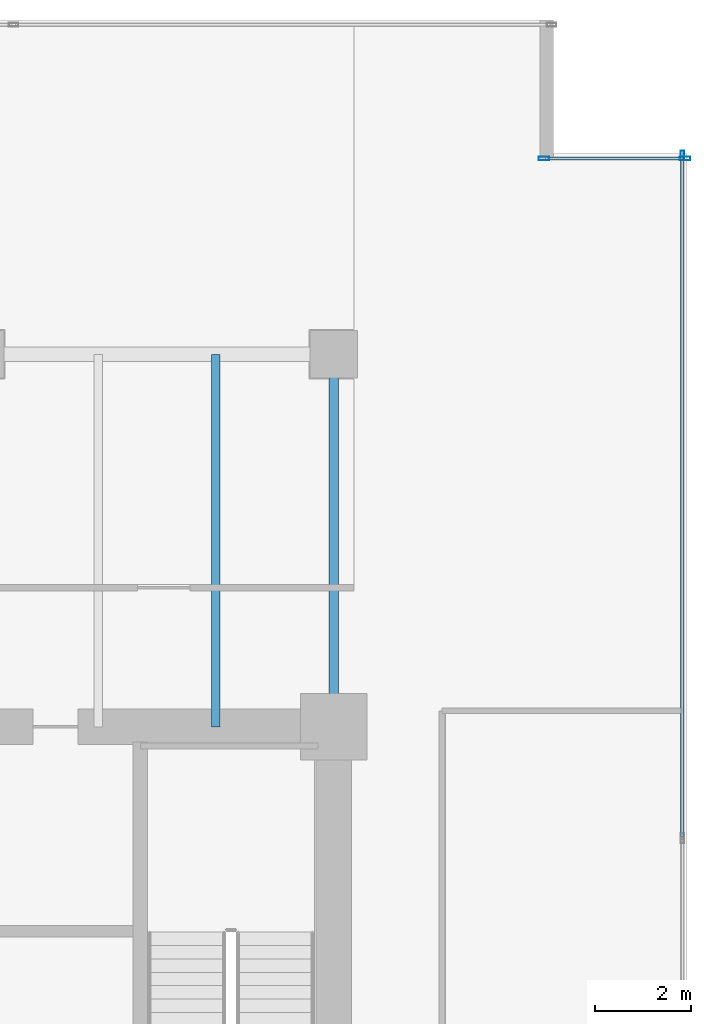
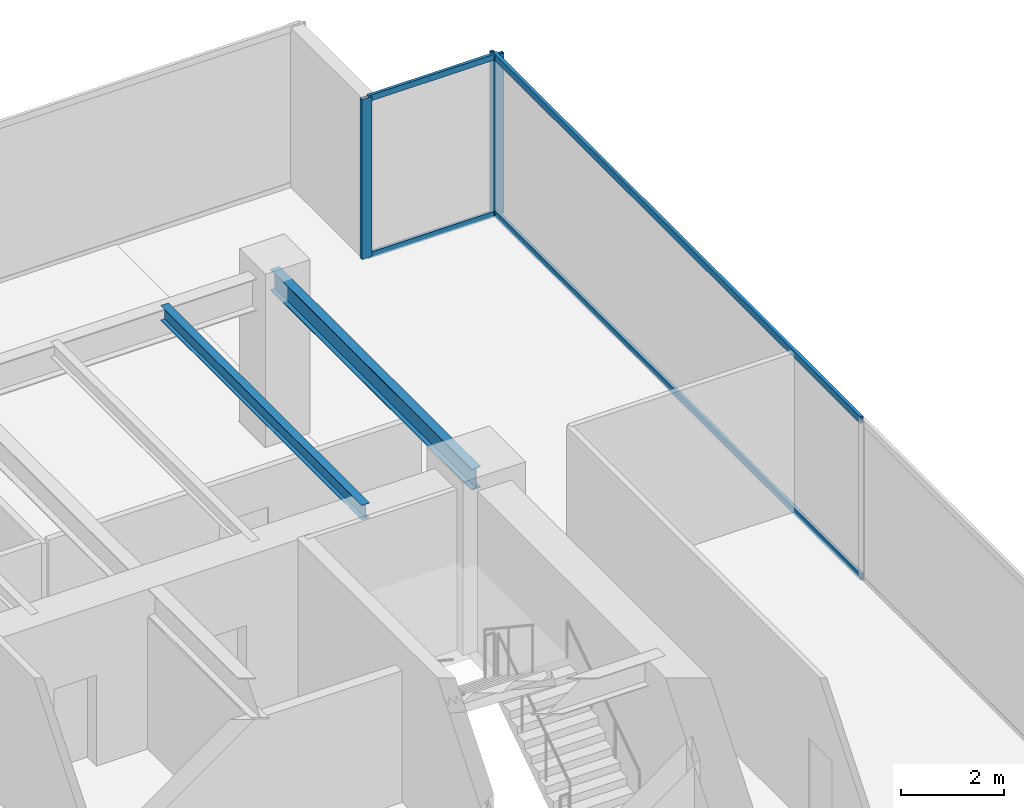
# One storey, part 26 of 37: 7 members, 2 beams, 2 elements without a shape of their own.
"""IFC4 building model written with IfcOpenShell, lengths in metres."""

from ifc_helpers import new_model, si_unit, direction, frame, origin, origin_2d, place, context, subcontext, project, spatial, hollow_rectangle, i_section, extrude, source, transform, mapped, material, layer, layer_set, material_profile, profile_set, type_object, type_shapes, element, aggregate, save


model = new_model("IFC4")

# Units and contexts
model_context = context("Model", 3, precision=1e-05, world=origin(), true_north=direction((0.0, 1.0)))
body_context = subcontext(model_context, "Body", "Model", "MODEL_VIEW")
ifc_project = project(units=[si_unit("LENGTHUNIT", "METRE"), si_unit("AREAUNIT", "SQUARE_METRE"), si_unit("VOLUMEUNIT", "CUBIC_METRE"), si_unit("PLANEANGLEUNIT", "RADIAN"), si_unit("MASSUNIT", "GRAM", prefix="KILO")], contexts=[model_context])

# Site, building, storey
site_placement = place(None, origin())
site = spatial("IfcSite", under=ifc_project, at=site_placement, CompositionType="ELEMENT")
building_placement = place(site_placement, origin())
building = spatial("IfcBuilding", under=site, at=building_placement, Name="Haelvirn Gate Laboratories", CompositionType="ELEMENT")
storey_placement = place(building_placement, frame((0.0, 0.0, 78.5)))
storey = spatial("IfcBuildingStorey", under=building, at=storey_placement, Name="L19", CompositionType="ELEMENT", Elevation=78.5)

# Beams
ifc_material_1 = material(Name="Steel SM355", Category="steel")
ifc_material_profile_1 = material_profile(ifc_material_1, i_section(OverallWidth=0.199951171875, OverallDepth=0.5, WebThickness=0.010009765625, FlangeThickness=0.01611328125, at=origin_2d()), Name="H-500x200x10x16")
ifc_profile_set_1 = profile_set([ifc_material_profile_1], Name="Steel SM355")
beam_type_1 = type_object("IfcBeamType", Name="BM-SP-500", PredefinedType="SPANDREL", material=ifc_profile_set_1)
shared_shape_1 = source(origin(), body_context, "Body", "SweptSolid", [
    extrude(i_section(OverallWidth=0.199951171875, OverallDepth=0.5, WebThickness=0.010009765625, FlangeThickness=0.01611328125, at=origin_2d()), origin(), (0.0, 0.0, 1.0), 7.800048828125),
])
type_shapes(beam_type_1, [shared_shape_1])
beam_1_placement = place(storey_placement, frame((67.39990234375, 33.800048828125, 3.530029296875), z_axis=(0.0, 1.0, 0.0), x_axis=(-1.0, 0.0, 0.0)))
element("IfcBeam", 1, at=beam_1_placement, inside=storey, type_object=beam_type_1, Name="L19 Perimeter Spandrel X67.4 (33.8-41.6)", PredefinedType="SPANDREL", context=body_context, shape_type="MappedRepresentation", body=[
    mapped(shared_shape_1, transform((0.0, 0.0, 0.0), scale=1.0)),
])
ifc_material_profile_2 = material_profile(ifc_material_1, i_section(OverallWidth=0.175048828125, OverallDepth=0.35009765625, WebThickness=0.007080078125, FlangeThickness=0.010986328125, at=origin_2d()), Name="H-350x175x7x11")
ifc_profile_set_2 = profile_set([ifc_material_profile_2], Name="Steel SM355")
beam_type_2 = type_object("IfcBeamType", Name="BM-J-350", PredefinedType="JOIST", material=ifc_profile_set_2)
shared_shape_2 = source(origin(), body_context, "Body", "SweptSolid", [
    extrude(i_section(OverallWidth=0.175048828125, OverallDepth=0.35009765625, WebThickness=0.007080078125, FlangeThickness=0.010986328125, at=origin_2d()), origin(), (0.0, 0.0, 1.0), 7.800048828125),
])
type_shapes(beam_type_2, [shared_shape_2])
beam_2_placement = place(storey_placement, frame((64.929931640625, 33.800048828125, 3.60498046875), z_axis=(0.0, 1.0, 0.0), x_axis=(-1.0, 0.0, 0.0)))
element("IfcBeam", 2, at=beam_2_placement, inside=storey, type_object=beam_type_2, Name="L19 Composite Lab Joist North X64.93", PredefinedType="JOIST", context=body_context, shape_type="MappedRepresentation", body=[
    mapped(shared_shape_2, transform((0.0, 0.0, 0.0), scale=1.0)),
])

# Curtain wall, member
ifc_material_2 = material(Name="Anodised bronze unitised aluminium & triple low-E glass", Category="aluminium")
ifc_layer_1 = layer(ifc_material_2, 0.18408203125, Name="CW-SYS-2")
ifc_layer_set_1 = layer_set([ifc_layer_1], Name="Anodised bronze unitised aluminium & triple low-E glass")
curtain_wall_type_1 = type_object("IfcCurtainWallType", Name="CW-SYS-2", PredefinedType="NOTDEFINED", material=ifc_layer_set_1)
curtain_wall_1_placement = place(storey_placement, origin())
curtain_wall_1 = element("IfcCurtainWall", 3, at=curtain_wall_1_placement, inside=storey, type_object=curtain_wall_type_1, Name="L19 Unitised Curtain Wall CW-L19-P0-E07", PredefinedType="NOTDEFINED")
ifc_material_3 = material(Name="Extruded aluminium 6063-T6 (anodised bronze)", Category="aluminium")
ifc_material_profile_3 = material_profile(ifc_material_3, hollow_rectangle(XDim=0.074951171875, YDim=0.199951171875, WallThickness=0.0048828125, at=origin_2d()), Name="CWM-200x75x5")
ifc_profile_set_3 = profile_set([ifc_material_profile_3], Name="Extruded aluminium 6063-T6 (anodised bronze)")
member_type_1 = type_object("IfcMemberType", Name="CWM-T200", PredefinedType="MULLION", material=ifc_profile_set_3)
shared_shape_3 = source(origin(), body_context, "Body", "SweptSolid", [
    extrude(hollow_rectangle(XDim=0.074951171875, YDim=0.199951171875, WallThickness=0.0048828125, at=origin_2d()), origin(), (0.0, 0.0, 1.0), 3.780029296875),
])
type_shapes(member_type_1, [shared_shape_3])
member_1_placement = place(storey_placement, frame((74.699951171875, 45.762451171875, 0.0), z_axis=(0.0, 0.0, 1.0), x_axis=(-1.0, 0.0, 0.0)))
member_1 = element("IfcMember", 4, at=member_1_placement, type_object=member_type_1, Name="CW2 mullion 4", PredefinedType="MULLION", context=body_context, shape_type="MappedRepresentation", body=[
    mapped(shared_shape_3, transform((0.0, 0.0, 0.0), scale=1.0)),
])

# Curtain wall, members
ifc_layer_2 = layer(ifc_material_2, 0.181884765625, Name="CW-SYS-5")
ifc_layer_set_2 = layer_set([ifc_layer_2], Name="Anodised bronze unitised aluminium & triple low-E glass")
curtain_wall_type_2 = type_object("IfcCurtainWallType", Name="CW-SYS-5", PredefinedType="NOTDEFINED", material=ifc_layer_set_2)
curtain_wall_2_placement = place(storey_placement, origin())
curtain_wall_2 = element("IfcCurtainWall", 5, at=curtain_wall_2_placement, inside=storey, type_object=curtain_wall_type_2, Name="L19 Unitised Curtain Wall CW-L19-P0-E08-1", PredefinedType="NOTDEFINED")
ifc_material_profile_4 = material_profile(ifc_material_3, hollow_rectangle(XDim=0.080078125, YDim=0.219970703125, WallThickness=0.006103515625, at=origin_2d()), Name="CWM-220x80x6")
ifc_profile_set_4 = profile_set([ifc_material_profile_4], Name="Extruded aluminium 6063-T6 (anodised bronze)")
member_type_2 = type_object("IfcMemberType", Name="CWM-T220", PredefinedType="MULLION", material=ifc_profile_set_4)
shared_shape_4 = source(origin(), body_context, "Body", "SweptSolid", [
    extrude(hollow_rectangle(XDim=0.080078125, YDim=0.219970703125, WallThickness=0.006103515625, at=origin_2d()), origin(), (0.0, 0.0, 1.0), 3.780029296875),
])
type_shapes(member_type_2, [shared_shape_4])
member_2_placement = place(storey_placement, frame((71.800048828125, 45.699951171875, 0.0), z_axis=(0.0, 0.0, 1.0), x_axis=(0.0, 1.0, 0.0)))
member_2 = element("IfcMember", 6, at=member_2_placement, type_object=member_type_2, Name="CW5 mullion 1", PredefinedType="MULLION", context=body_context, shape_type="MappedRepresentation", body=[
    mapped(shared_shape_4, transform((0.0, 0.0, 0.0), scale=1.0)),
])
member_3_placement = place(storey_placement, frame((74.760009765625, 45.699951171875, 0.0), z_axis=(0.0, 0.0, 1.0), x_axis=(0.0, 1.0, 0.0)))
member_3 = element("IfcMember", 7, at=member_3_placement, type_object=member_type_2, Name="CW5 mullion 2", PredefinedType="MULLION", context=body_context, shape_type="MappedRepresentation", body=[
    mapped(shared_shape_4, transform((0.0, 0.0, 0.0), scale=1.0)),
])
ifc_material_profile_5 = material_profile(ifc_material_3, hollow_rectangle(XDim=0.06494140625, YDim=0.139892578125, WallThickness=0.00390625, at=origin_2d()), Name="CWT-140x65x4")
ifc_profile_set_5 = profile_set([ifc_material_profile_5], Name="Extruded aluminium 6063-T6 (anodised bronze)")
member_type_3 = type_object("IfcMemberType", Name="CWT-T140", PredefinedType="USERDEFINED", material=ifc_profile_set_5)
shared_shape_5 = source(origin(), body_context, "Body", "SweptSolid", [
    extrude(hollow_rectangle(XDim=0.06494140625, YDim=0.139892578125, WallThickness=0.00390625, at=origin_2d()), origin(), (0.0, 0.0, 1.0), 2.8798828125),
])
type_shapes(member_type_3, [shared_shape_5])
member_4_placement = place(storey_placement, frame((71.840087890625, 45.699951171875, 0.032470703125), z_axis=(1.0, 0.0, 0.0), x_axis=(0.0, 1.0, 0.0)))
member_4 = element("IfcMember", 8, at=member_4_placement, type_object=member_type_3, Name="CW5 transom 1.1", ObjectType="TRANSOM", PredefinedType="USERDEFINED", context=body_context, shape_type="MappedRepresentation", body=[
    mapped(shared_shape_5, transform((0.0, 0.0, 0.0), scale=1.0)),
])
member_5_placement = place(storey_placement, frame((71.840087890625, 45.699951171875, 3.74755859375), z_axis=(1.0, 0.0, 0.0), x_axis=(0.0, 1.0, 0.0)))
member_5 = element("IfcMember", 9, at=member_5_placement, type_object=member_type_3, Name="CW5 transom 1.2", ObjectType="TRANSOM", PredefinedType="USERDEFINED", context=body_context, shape_type="MappedRepresentation", body=[
    mapped(shared_shape_5, transform((0.0, 0.0, 0.0), scale=1.0)),
])
aggregate(curtain_wall_2, [member_2, member_3, member_4, member_5])

# Member
ifc_material_profile_6 = material_profile(ifc_material_3, hollow_rectangle(XDim=0.070068359375, YDim=0.159912109375, WallThickness=0.0048828125, at=origin_2d()), Name="CWT-160x70x5")
ifc_profile_set_6 = profile_set([ifc_material_profile_6], Name="Extruded aluminium 6063-T6 (anodised bronze)")
member_type_4 = type_object("IfcMemberType", Name="CWT-T160", PredefinedType="USERDEFINED", material=ifc_profile_set_6)
shared_shape_6 = source(origin(), body_context, "Body", "SweptSolid", [
    extrude(hollow_rectangle(XDim=0.070068359375, YDim=0.159912109375, WallThickness=0.0048828125, at=origin_2d()), origin(), (0.0, 0.0, 1.0), 14.220947265625),
])
type_shapes(member_type_4, [shared_shape_6])
member_6_placement = place(storey_placement, frame((74.699951171875, 31.504150390625, 0.034912109375), z_axis=(0.0, 1.0, 0.0), x_axis=(-1.0, 0.0, 0.0)))
member_6 = element("IfcMember", 10, at=member_6_placement, type_object=member_type_4, Name="CW2 transom 3.1", ObjectType="TRANSOM", PredefinedType="USERDEFINED", context=body_context, shape_type="MappedRepresentation", body=[
    mapped(shared_shape_6, transform((0.0, 0.0, 0.0), scale=1.0)),
])

member_7_placement = place(storey_placement, frame((74.699951171875, 31.504150390625, 3.7451171875), z_axis=(0.0, 1.0, 0.0), x_axis=(-1.0, 0.0, 0.0)))
member_7 = element("IfcMember", 11, at=member_7_placement, type_object=member_type_4, Name="CW2 transom 3.2", ObjectType="TRANSOM", PredefinedType="USERDEFINED", context=body_context, shape_type="MappedRepresentation", body=[
    mapped(shared_shape_6, transform((0.0, 0.0, 0.0), scale=1.0)),
])

aggregate(curtain_wall_1, [member_1, member_6, member_7])

save(model, "model.ifc")
